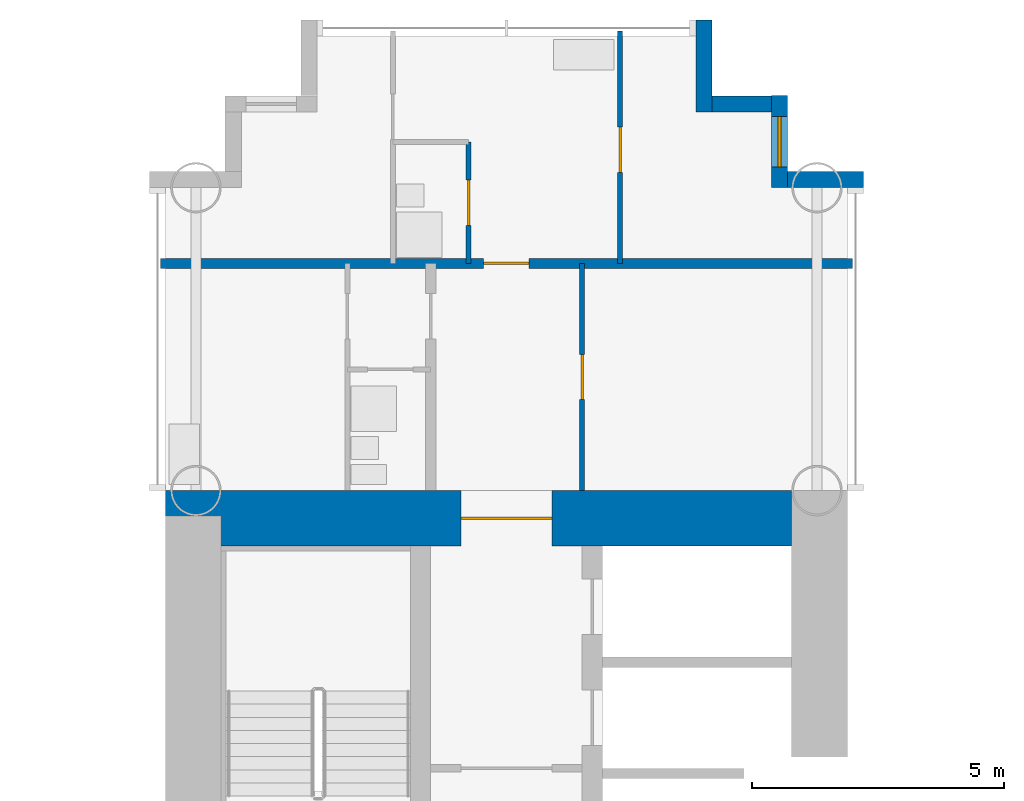
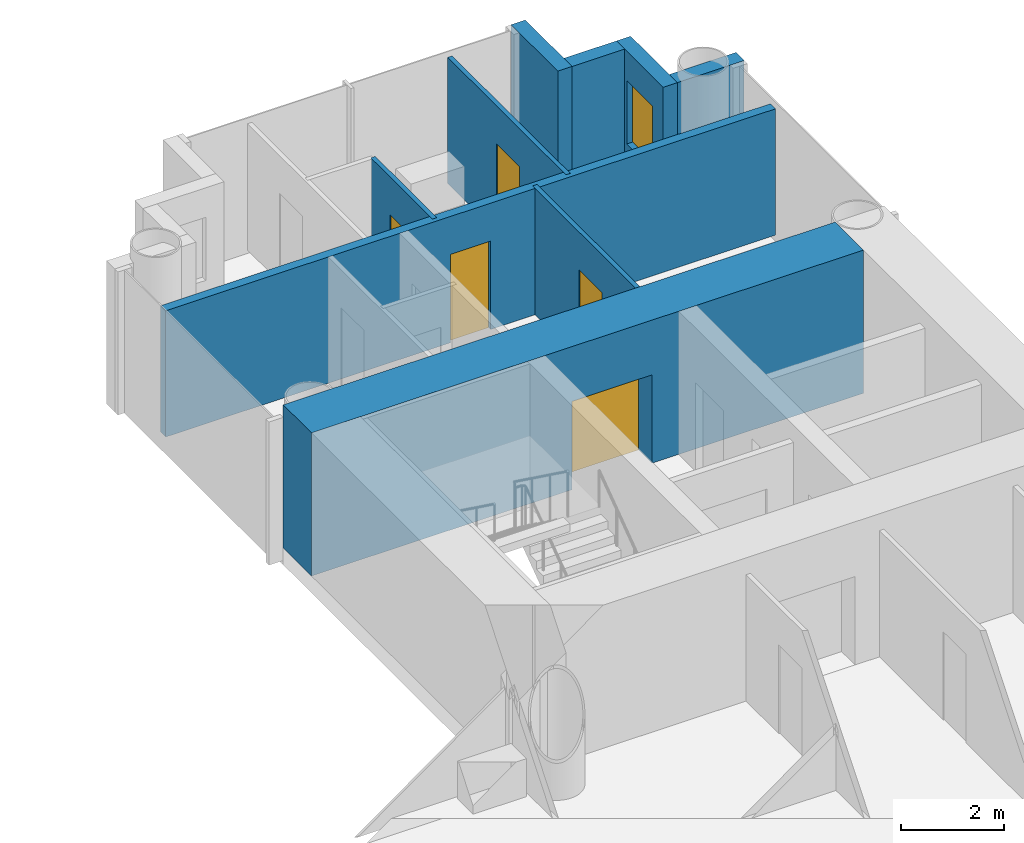
# One storey, part 15 of 21: 9 walls, 5 doors, 1 window, 6 openings.
"""IFC4 building model written with IfcOpenShell, lengths in metres."""

from ifc_helpers import new_model, si_unit, direction, frame, frame_2d, origin, place, context, subcontext, project, spatial, rectangle, extrude, material, layer, layer_set, type_object, element, fill, save


model = new_model("IFC4")

# Units and contexts
model_context = context("Model", 3, precision=1e-05, world=origin(), true_north=direction((0.0, 1.0)))
body_context = subcontext(model_context, "Body", "Model", "MODEL_VIEW")
ifc_project = project(units=[si_unit("LENGTHUNIT", "METRE"), si_unit("AREAUNIT", "SQUARE_METRE"), si_unit("VOLUMEUNIT", "CUBIC_METRE"), si_unit("PLANEANGLEUNIT", "RADIAN"), si_unit("MASSUNIT", "GRAM", prefix="KILO")], contexts=[model_context])

# Site, building, storey
site_placement = place(None, origin())
site = spatial("IfcSite", under=ifc_project, at=site_placement, CompositionType="ELEMENT")
building_placement = place(site_placement, origin())
building = spatial("IfcBuilding", under=site, at=building_placement, Name="Ipe Terrace Towers", CompositionType="ELEMENT")
storey_placement = place(building_placement, frame((0.0, 0.0, 41.5)))
storey = spatial("IfcBuildingStorey", under=building, at=storey_placement, Name="L10", CompositionType="ELEMENT", Elevation=41.5)

# Wall
ifc_material_1 = material(Name="Concrete C40/50 with buff precast cladding", Category="concrete")
ifc_layer_1 = layer(ifc_material_1, 0.320068359375)
ifc_layer_set_1 = layer_set([ifc_layer_1], Name="BUFF CLADDING WALL 320")
wall_type_1 = type_object("IfcWallType", Name="BUFF CLADDING WALL 320", PredefinedType="STANDARD", material=ifc_layer_set_1)
wall_1_placement = place(storey_placement, frame((43.070068359375, 21.909912109375, -0.300048828125), z_axis=(0.0, 0.0, 1.0), x_axis=(-1.0, 0.0, 0.0)))
element("IfcWall", 1, at=wall_1_placement, inside=storey, type_object=wall_type_1, Name="T2-W-L10-21a wall", PredefinedType="STANDARD", context=body_context, shape_type="SweptSolid", body=[
    extrude(rectangle(XDim=1.5, YDim=0.320068359375, at=frame_2d((0.75, 0.0))), origin(), (0.0, 0.0, 1.0), 3.400146484375),
])

# Wall, opening, window
wall_2_placement = place(storey_placement, frame((41.409912109375, 21.75, -0.300048828125), z_axis=(0.0, 0.0, 1.0), x_axis=(0.0, 1.0, 0.0)))
wall_2 = element("IfcWall", 2, at=wall_2_placement, inside=storey, type_object=wall_type_1, Name="T2-W-L10-22a wall", PredefinedType="STANDARD", context=body_context, shape_type="SweptSolid", body=[
    extrude(rectangle(XDim=1.820068359375, YDim=0.320068359375, at=frame_2d((0.91015625, 0.0))), origin(), (0.0, 0.0, 1.0), 3.400146484375),
])
opening_1_placement = place(wall_2_placement, frame((0.409912109375, 0.0, 1.199951171875)))
opening_1 = element("IfcOpeningElement", 3, at=opening_1_placement, cuts=wall_2, Name="Opening T2-W-05-L10-02", PredefinedType="OPENING", context=body_context, shape_type="SweptSolid", body=[
    extrude(rectangle(XDim=1.0, YDim=1.5, at=frame_2d((0.5, 0.75))), frame((0.0, 0.169921875, 0.0), z_axis=(0.0, -1.0, 0.0), x_axis=(1.0, 0.0, 0.0)), (0.0, 0.0, 1.0), 0.340087890625),
])
ifc_material_2 = material(Name="Glass, clear laminated", Category="glass")
window_type = type_object("IfcWindowType", Name="DWELLING WINDOW 1000 x 1500", PartitioningType="SINGLE_PANEL", PredefinedType="WINDOW", material=ifc_material_2)
window_placement = place(opening_1_placement, origin())
window = element("IfcWindow", 4, at=window_placement, inside=storey, type_object=window_type, Name="W-05 window", OverallHeight=1.5, OverallWidth=1.0, PartitioningType="SINGLE_PANEL", PredefinedType="WINDOW", context=body_context, shape_type="SweptSolid", body=[
    extrude(rectangle(XDim=1.0, YDim=1.5, at=frame_2d((0.5, 0.75))), frame((0.0, 0.030029296875, 0.0), z_axis=(0.0, -1.0, 0.0), x_axis=(1.0, 0.0, 0.0)), (0.0, 0.0, 1.0), 0.06005859375),
])
fill(opening_1, window)

# Walls
wall_3_placement = place(storey_placement, frame((41.25, 23.409912109375, -0.300048828125), z_axis=(0.0, 0.0, 1.0), x_axis=(-1.0, 0.0, 0.0)))
element("IfcWall", 5, at=wall_3_placement, inside=storey, type_object=wall_type_1, Name="T2-W-L10-23a wall", PredefinedType="STANDARD", context=body_context, shape_type="SweptSolid", body=[
    extrude(rectangle(XDim=1.179931640625, YDim=0.320068359375, at=frame_2d((0.58984375, 0.0))), origin(), (0.0, 0.0, 1.0), 3.400146484375),
])
wall_4_placement = place(storey_placement, frame((39.909912109375, 23.25, -0.300048828125), z_axis=(0.0, 0.0, 1.0), x_axis=(0.0, 1.0, 0.0)))
element("IfcWall", 6, at=wall_4_placement, inside=storey, type_object=wall_type_1, Name="T2-W-L10-24a wall", PredefinedType="STANDARD", context=body_context, shape_type="SweptSolid", body=[
    extrude(rectangle(XDim=1.820068359375, YDim=0.320068359375, at=frame_2d((0.91015625, 0.0))), origin(), (0.0, 0.0, 1.0), 3.400146484375),
])

# Wall, opening, door
ifc_material_3 = material(Name="Gypsum board partition", Category="plasterboard")
ifc_layer_2 = layer(ifc_material_3, 0.10009765625)
ifc_layer_set_2 = layer_set([ifc_layer_2], Name="Gypsum board partition 100 mm")
wall_type_2 = type_object("IfcWallType", Name="Gypsum board partition 100 mm", PredefinedType="PARTITIONING", material=ifc_layer_set_2)
wall_5_placement = place(storey_placement, frame((38.25, 20.25, 0.0), z_axis=(0.0, 0.0, 1.0), x_axis=(0.0, 1.0, 0.0)))
wall_5 = element("IfcWall", 7, at=wall_5_placement, inside=storey, type_object=wall_type_2, Name="Gypsum board partition T2 L10 W31", PredefinedType="PARTITIONING", context=body_context, shape_type="SweptSolid", body=[
    extrude(rectangle(XDim=4.60009765625, YDim=0.10009765625, at=frame_2d((2.300048828125, 0.0))), origin(), (0.0, 0.0, 1.0), 3.0),
])
opening_2_placement = place(wall_5_placement, frame((1.800048828125, 0.0, 0.0)))
opening_2 = element("IfcOpeningElement", 8, at=opening_2_placement, cuts=wall_5, Name="Opening T2-Z1B-29", PredefinedType="OPENING", context=body_context, shape_type="SweptSolid", body=[
    extrude(rectangle(XDim=0.89990234375, YDim=2.10009765625, at=frame_2d((0.449951171875, 1.050048828125))), frame((0.0, 0.06005859375, 0.0), z_axis=(0.0, -1.0, 0.0), x_axis=(1.0, 0.0, 0.0)), (0.0, 0.0, 1.0), 0.1201171875),
])
ifc_material_4 = material(Name="Timber door leaf", Category="wood")
door_type_1 = type_object("IfcDoorType", Name="Bedroom door 900 x 2100", OperationType="NOTDEFINED", PredefinedType="DOOR", material=ifc_material_4)
door_1_placement = place(opening_2_placement, origin())
door_1 = element("IfcDoor", 9, at=door_1_placement, inside=storey, type_object=door_type_1, Name="Bedroom door T2-Z1B-29", OperationType="SINGLE_SWING_LEFT", OverallHeight=2.10009765625, OverallWidth=0.89990234375, PredefinedType="DOOR", context=body_context, shape_type="SweptSolid", body=[
    extrude(rectangle(XDim=0.89990234375, YDim=2.10009765625, at=frame_2d((0.449951171875, 1.050048828125))), frame((0.0, 0.02490234375, 0.0), z_axis=(0.0, -1.0, 0.0), x_axis=(1.0, 0.0, 0.0)), (0.0, 0.0, 1.0), 0.050048828125),
])
fill(opening_2, door_1)

wall_6_placement = place(storey_placement, frame((37.5, 15.75, 0.0), z_axis=(0.0, 0.0, 1.0), x_axis=(0.0, 1.0, 0.0)))
wall_6 = element("IfcWall", 10, at=wall_6_placement, inside=storey, type_object=wall_type_2, Name="Gypsum board partition T2 L10 W35", PredefinedType="PARTITIONING", context=body_context, shape_type="SweptSolid", body=[
    extrude(rectangle(XDim=4.5, YDim=0.10009765625, at=frame_2d((2.25, 0.0))), origin(), (0.0, 0.0, 1.0), 3.0),
])
opening_3_placement = place(wall_6_placement, frame((1.800048828125, 0.0, 0.0)))
opening_3 = element("IfcOpeningElement", 11, at=opening_3_placement, cuts=wall_6, Name="Opening T2-Z1B-25", PredefinedType="OPENING", context=body_context, shape_type="SweptSolid", body=[
    extrude(rectangle(XDim=0.89990234375, YDim=2.10009765625, at=frame_2d((0.449951171875, 1.050048828125))), frame((0.0, 0.06005859375, 0.0), z_axis=(0.0, -1.0, 0.0), x_axis=(1.0, 0.0, 0.0)), (0.0, 0.0, 1.0), 0.1201171875),
])
ifc_material_5 = material(Name="Timber door leaf", Category="wood")
door_type_2 = type_object("IfcDoorType", Name="Lounge door 900 x 2100", OperationType="NOTDEFINED", PredefinedType="DOOR", material=ifc_material_5)
door_2_placement = place(opening_3_placement, origin())
door_2 = element("IfcDoor", 12, at=door_2_placement, inside=storey, type_object=door_type_2, Name="Lounge door T2-Z1B-25", OperationType="SINGLE_SWING_RIGHT", OverallHeight=2.10009765625, OverallWidth=0.89990234375, PredefinedType="DOOR", context=body_context, shape_type="SweptSolid", body=[
    extrude(rectangle(XDim=0.89990234375, YDim=2.10009765625, at=frame_2d((0.449951171875, 1.050048828125))), frame((0.0, 0.02490234375, 0.0), z_axis=(0.0, -1.0, 0.0), x_axis=(1.0, 0.0, 0.0)), (0.0, 0.0, 1.0), 0.050048828125),
])
fill(opening_3, door_2)

wall_7_placement = place(storey_placement, frame((35.25, 20.25, 0.0), z_axis=(0.0, 0.0, 1.0), x_axis=(0.0, 1.0, 0.0)))
wall_7 = element("IfcWall", 13, at=wall_7_placement, inside=storey, type_object=wall_type_2, Name="Gypsum board partition T2 L10 W36", PredefinedType="PARTITIONING", context=body_context, shape_type="SweptSolid", body=[
    extrude(rectangle(XDim=2.39990234375, YDim=0.10009765625, at=frame_2d((1.199951171875, 0.0))), origin(), (0.0, 0.0, 1.0), 3.0),
])
opening_4_placement = place(wall_7_placement, frame((0.75, 0.0, 0.0)))
opening_4 = element("IfcOpeningElement", 14, at=opening_4_placement, cuts=wall_7, Name="Opening T2-Z1B-26", PredefinedType="OPENING", context=body_context, shape_type="SweptSolid", body=[
    extrude(rectangle(XDim=0.89990234375, YDim=2.10009765625, at=frame_2d((0.449951171875, 1.050048828125))), frame((0.0, 0.06005859375, 0.0), z_axis=(0.0, -1.0, 0.0), x_axis=(1.0, 0.0, 0.0)), (0.0, 0.0, 1.0), 0.1201171875),
])
ifc_material_6 = material(Name="Timber door leaf", Category="wood")
door_type_3 = type_object("IfcDoorType", Name="Bathroom door 900 x 2100", OperationType="NOTDEFINED", PredefinedType="DOOR", material=ifc_material_6)
door_3_placement = place(opening_4_placement, origin())
door_3 = element("IfcDoor", 15, at=door_3_placement, inside=storey, type_object=door_type_3, Name="Bathroom door T2-Z1B-26", OperationType="SINGLE_SWING_LEFT", OverallHeight=2.10009765625, OverallWidth=0.89990234375, PredefinedType="DOOR", context=body_context, shape_type="SweptSolid", body=[
    extrude(rectangle(XDim=0.89990234375, YDim=2.10009765625, at=frame_2d((0.449951171875, 1.050048828125))), frame((0.0, 0.02490234375, 0.0), z_axis=(0.0, -1.0, 0.0), x_axis=(1.0, 0.0, 0.0)), (0.0, 0.0, 1.0), 0.050048828125),
])
fill(opening_4, door_3)

ifc_material_7 = material(Name="Gypsum board party wall", Category="plasterboard")
ifc_layer_3 = layer(ifc_material_7, 0.199951171875)
ifc_layer_set_3 = layer_set([ifc_layer_3], Name="Gypsum board party wall 200 mm")
wall_type_3 = type_object("IfcWallType", Name="Gypsum board party wall 200 mm", PredefinedType="SOLIDWALL", material=ifc_layer_set_3)
wall_8_placement = place(storey_placement, frame((42.85009765625, 20.25, 0.0), z_axis=(0.0, 0.0, 1.0), x_axis=(-1.0, 0.0, 0.0)))
wall_8 = element("IfcWall", 16, at=wall_8_placement, inside=storey, type_object=wall_type_3, Name="Gypsum board party wall T2 L10 W19", PredefinedType="SOLIDWALL", context=body_context, shape_type="SweptSolid", body=[
    extrude(rectangle(XDim=13.7001953125, YDim=0.199951171875, at=frame_2d((6.85009765625, 0.0))), origin(), (0.0, 0.0, 1.0), 3.0),
])
opening_5_placement = place(wall_8_placement, frame((6.39990234375, 0.0, 0.0)))
opening_5 = element("IfcOpeningElement", 17, at=opening_5_placement, cuts=wall_8, Name="Opening T2-Z1B-27", PredefinedType="OPENING", context=body_context, shape_type="SweptSolid", body=[
    extrude(rectangle(XDim=0.89990234375, YDim=2.10009765625, at=frame_2d((0.449951171875, 1.050048828125))), frame((0.0, 0.10986328125, 0.0), z_axis=(0.0, -1.0, 0.0), x_axis=(1.0, 0.0, 0.0)), (0.0, 0.0, 1.0), 0.219970703125),
])
ifc_material_8 = material(Name="Fire-rated timber door leaf", Category="wood")
door_type_4 = type_object("IfcDoorType", Name="Flat entrance door 900 x 2100 FD30S", OperationType="NOTDEFINED", PredefinedType="DOOR", material=ifc_material_8)
door_4_placement = place(opening_5_placement, origin())
door_4 = element("IfcDoor", 18, at=door_4_placement, inside=storey, type_object=door_type_4, Name="Flat entrance door T2-Z1B-27", OperationType="SINGLE_SWING_RIGHT", OverallHeight=2.10009765625, OverallWidth=0.89990234375, PredefinedType="DOOR", context=body_context, shape_type="SweptSolid", body=[
    extrude(rectangle(XDim=0.89990234375, YDim=2.10009765625, at=frame_2d((0.449951171875, 1.050048828125))), frame((0.0, 0.02490234375, 0.0), z_axis=(0.0, -1.0, 0.0), x_axis=(1.0, 0.0, 0.0)), (0.0, 0.0, 1.0), 0.050048828125),
])
fill(opening_5, door_4)

ifc_material_9 = material(Name="Concrete C60/75", Category="concrete")
ifc_layer_4 = layer(ifc_material_9, 1.10009765625)
ifc_layer_set_4 = layer_set([ifc_layer_4], Name="RW1100 CORE WALL 1100 C60-75")
wall_type_4 = type_object("IfcWallType", Name="RW1100 CORE WALL 1100 C60-75", PredefinedType="SHEAR", material=ifc_layer_set_4)
wall_9_placement = place(storey_placement, frame((41.64990234375, 15.199951171875, 0.0), z_axis=(0.0, 0.0, 1.0), x_axis=(-1.0, 0.0, 0.0)))
wall_9 = element("IfcWall", 19, at=wall_9_placement, inside=storey, type_object=wall_type_4, Name="Core wall T2-C1-Z1-W03", PredefinedType="SHEAR", context=body_context, shape_type="SweptSolid", body=[
    extrude(rectangle(XDim=12.39990234375, YDim=1.10009765625, at=frame_2d((6.199951171875, 0.0))), origin(), (0.0, 0.0, 1.0), 3.39990234375),
])
opening_6_placement = place(wall_9_placement, frame((4.75, 0.0, 0.0)))
opening_6 = element("IfcOpeningElement", 20, at=opening_6_placement, cuts=wall_9, Name="Opening T2C1-FD", PredefinedType="OPENING", context=body_context, shape_type="SweptSolid", body=[
    extrude(rectangle(XDim=1.800048828125, YDim=2.10009765625, at=frame_2d((0.89990234375, 1.050048828125))), frame((0.0, 0.56005859375, 0.0), z_axis=(0.0, -1.0, 0.0), x_axis=(1.0, 0.0, 0.0)), (0.0, 0.0, 1.0), 1.1201171875),
])
ifc_material_10 = material(Name="Fire-rated timber door leaf", Category="wood")
door_type_5 = type_object("IfcDoorType", Name="Fire door 1800 x 2100 FD30S", OperationType="NOTDEFINED", PredefinedType="DOOR", material=ifc_material_10)
door_5_placement = place(opening_6_placement, origin())
door_5 = element("IfcDoor", 21, at=door_5_placement, inside=storey, type_object=door_type_5, Name="Fire door T2C1-FD", OperationType="SINGLE_SWING_LEFT", OverallHeight=2.10009765625, OverallWidth=1.800048828125, PredefinedType="DOOR", context=body_context, shape_type="SweptSolid", body=[
    extrude(rectangle(XDim=1.800048828125, YDim=2.10009765625, at=frame_2d((0.89990234375, 1.050048828125))), frame((0.0, 0.02490234375, 0.0), z_axis=(0.0, -1.0, 0.0), x_axis=(1.0, 0.0, 0.0)), (0.0, 0.0, 1.0), 0.050048828125),
])
fill(opening_6, door_5)

save(model, "model.ifc")
